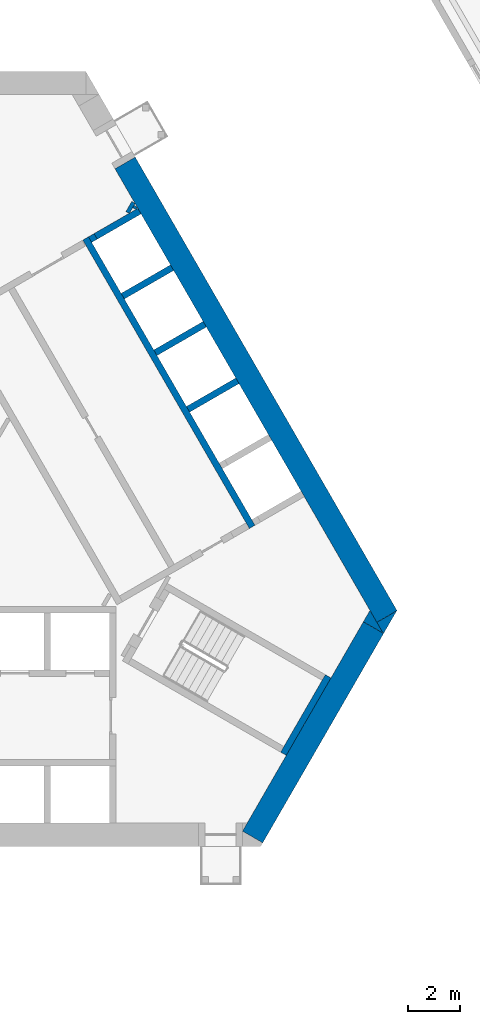
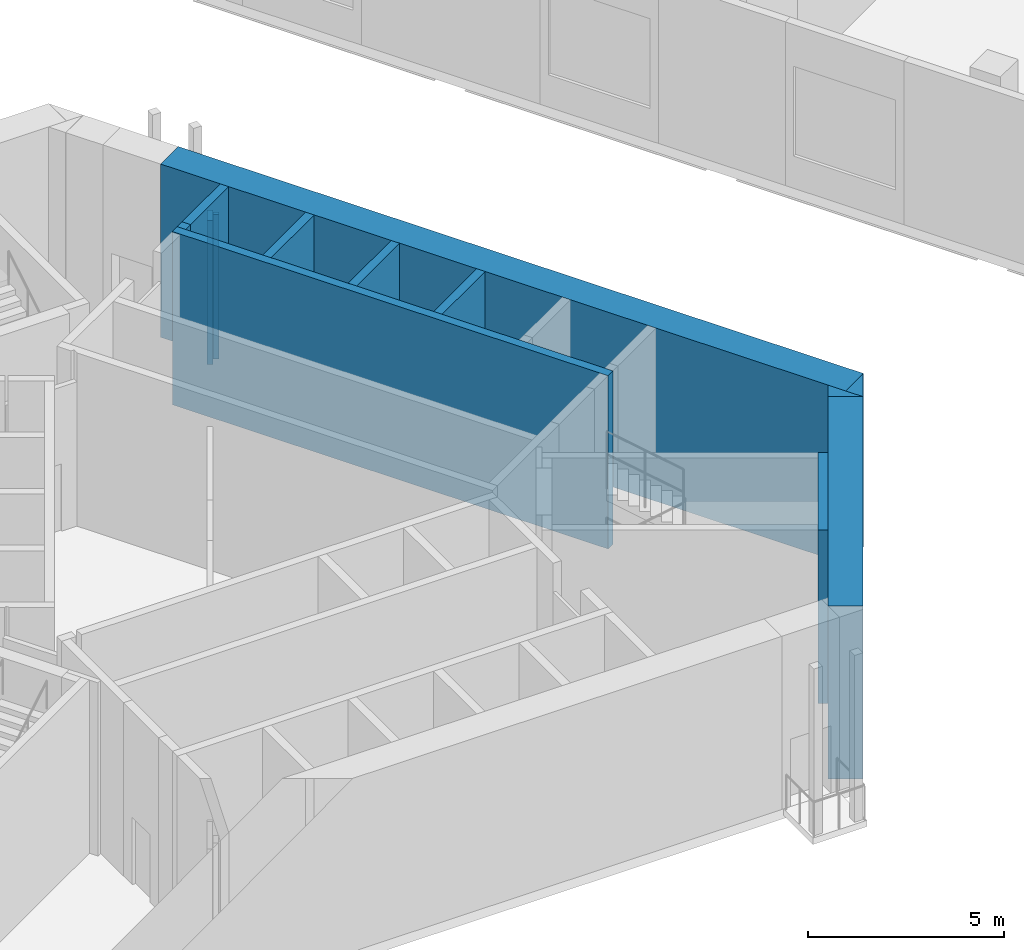
# One storey, part 14 of 35: 13 walls.
"""IFC4 building model written with IfcOpenShell, lengths in metres."""

from ifc_helpers import new_model, si_unit, direction, frame, frame_2d, origin, place, context, subcontext, project, spatial, polyline, rectangle, outline, extrude, material, layer, layer_set, type_object, element, save


model = new_model("IFC4")

# Units and contexts
model_context = context("Model", 3, precision=1e-05, world=origin(), true_north=direction((0.0, 1.0)))
body_context = subcontext(model_context, "Body", "Model", "MODEL_VIEW")
ifc_project = project(units=[si_unit("LENGTHUNIT", "METRE"), si_unit("AREAUNIT", "SQUARE_METRE"), si_unit("VOLUMEUNIT", "CUBIC_METRE"), si_unit("PLANEANGLEUNIT", "RADIAN"), si_unit("MASSUNIT", "GRAM", prefix="KILO")], contexts=[model_context])

# Site, building, storey
site_placement = place(None, origin())
site = spatial("IfcSite", under=ifc_project, at=site_placement, CompositionType="ELEMENT")
building_placement = place(site_placement, origin())
building = spatial("IfcBuilding", under=site, at=building_placement, Name="Mestral Congress Tower", CompositionType="ELEMENT")
storey_placement = place(building_placement, frame((0.0, 0.0, 6.0)))
storey = spatial("IfcBuildingStorey", under=building, at=storey_placement, Name="L01", CompositionType="ELEMENT", Elevation=6.0)

# Walls
ifc_material_1 = material(Name="Fire-rated board partition")
ifc_layer_1 = layer(ifc_material_1, 0.14990234375)
ifc_layer_set_1 = layer_set([ifc_layer_1], Name="Fire-rated board partition")
wall_type_1 = type_object("IfcWallType", Name="Core partition 150", PredefinedType="PARTITIONING", material=ifc_layer_set_1)
wall_1_placement = place(storey_placement, frame((6.87158203125, 11.44970703125, 0.0), z_axis=(0.0, 0.0, 1.0), x_axis=(0.499846793097, 0.866113839764, 0.0)))
element("IfcWall", 1, at=wall_1_placement, inside=storey, type_object=wall_type_1, Name="L01 core wall", PredefinedType="PARTITIONING", context=body_context, shape_type="SweptSolid", body=[
    extrude(rectangle(XDim=0.453369140625, YDim=0.14990234375, at=frame_2d((0.2265625, 0.0))), origin(), (0.0, 0.0, 1.0), 4.5),
])
wall_2_placement = place(storey_placement, frame((7.13134765625, 11.599609375, 0.0), z_axis=(0.0, 0.0, 1.0), x_axis=(0.498600033135, 0.866832167699, 0.0)))
element("IfcWall", 2, at=wall_2_placement, inside=storey, type_object=wall_type_1, Name="L01 core wall", PredefinedType="PARTITIONING", context=body_context, shape_type="SweptSolid", body=[
    extrude(rectangle(XDim=0.106689453125, YDim=0.14990234375, at=frame_2d((0.05322265625, 0.0))), origin(), (0.0, 0.0, 1.0), 4.5),
])
ifc_material_2 = material(Name="Concrete C60/75", Category="concrete")
ifc_layer_2 = layer(ifc_material_2, 0.89990234375)
ifc_layer_set_2 = layer_set([ifc_layer_2], Name="Concrete C60/75")
wall_type_2 = type_object("IfcWallType", Name="Core wall RC 900", PredefinedType="SOLIDWALL", material=ifc_layer_set_2)
wall_3_placement = place(storey_placement, frame((6.77587890625, 13.36376953125, 0.0), z_axis=(0.0, 0.0, 1.0), x_axis=(0.500004177138, -0.8660229921, 0.0)))
element("IfcWall", 3, at=wall_3_placement, inside=storey, type_object=wall_type_2, Name="L01 core wall", PredefinedType="SOLIDWALL", context=body_context, shape_type="SweptSolid", body=[
    extrude(rectangle(XDim=20.203857421875, YDim=0.89990234375, at=frame_2d((10.10205078125, 0.0))), origin(), (0.0, 0.0, 1.0), 5.39990234375),
])
placement = place(storey_placement, origin())
element("IfcWall", 4, at=placement, inside=storey, type_object=wall_type_2, Name="L01 core wall", PredefinedType="SOLIDWALL", context=body_context, shape_type="SweptSolid", body=[
    extrude(outline(polyline([(16.7431640625, -4.800048828125), (16.4892578125, -4.360107421875), (17.251220703125, -3.920166015625), (16.7431640625, -4.800048828125)])), origin(), (0.0, 0.0, 1.0), 5.39990234375),
])
wall_5_placement = place(storey_placement, frame((11.69482421875, -12.643798828125, 0.0), z_axis=(0.0, 0.0, 1.0), x_axis=(0.500010229568, 0.86601949766, 0.0)))
element("IfcWall", 5, at=wall_5_placement, inside=storey, type_object=wall_type_2, Name="L01 core wall", PredefinedType="SOLIDWALL", context=body_context, shape_type="SweptSolid", body=[
    extrude(rectangle(XDim=9.326416015625, YDim=0.89990234375, at=frame_2d((4.6630859375, 0.0))), origin(), (0.0, 0.0, 1.0), 5.39990234375),
])
element("IfcWall", 6, at=placement, inside=storey, type_object=wall_type_2, Name="L01 core wall", PredefinedType="SOLIDWALL", context=body_context, shape_type="SweptSolid", body=[
    extrude(outline(polyline([(16.223388671875, -3.900146484375), (16.731689453125, -4.780029296875), (15.969482421875, -4.340087890625), (16.223388671875, -3.900146484375)])), origin(), (0.0, 0.0, 1.0), 5.39990234375),
])
ifc_layer_3 = layer(ifc_material_2, 0.25)
ifc_layer_set_3 = layer_set([ifc_layer_3], Name="Concrete C60/75")
wall_type_3 = type_object("IfcWallType", Name="Shaft wall RC 250", PredefinedType="SOLIDWALL", material=ifc_layer_set_3)
wall_7_placement = place(storey_placement, frame((11.677978515625, -0.6767578125, 0.0), z_axis=(0.0, 0.0, 1.0), x_axis=(-0.500003135297, 0.866023593612, 0.0)))
element("IfcWall", 7, at=wall_7_placement, inside=storey, type_object=wall_type_3, Name="L01 core wall", PredefinedType="SOLIDWALL", context=body_context, shape_type="SweptSolid", body=[
    extrude(rectangle(XDim=12.85009765625, YDim=0.25, at=frame_2d((6.425048828125, 0.0))), origin(), (0.0, 0.0, 1.0), 5.39990234375),
])
wall_8_placement = place(storey_placement, frame((5.469482421875, 10.57666015625, 0.0), z_axis=(0.0, 0.0, 1.0), x_axis=(0.499919672301, -0.866071776036, 0.0)))
element("IfcWall", 8, at=wall_8_placement, inside=storey, type_object=wall_type_3, Name="L01 core wall", PredefinedType="SOLIDWALL", context=body_context, shape_type="SweptSolid", body=[
    extrude(rectangle(XDim=0.25, YDim=0.25, at=frame_2d((0.125, 0.0))), origin(), (0.0, 0.0, 1.0), 5.39990234375),
])
wall_9_placement = place(storey_placement, frame((5.64013671875, 10.531005859375, 0.0), z_axis=(0.0, 0.0, 1.0), x_axis=(0.866000020948, 0.500043961785, 0.0)))
element("IfcWall", 9, at=wall_9_placement, inside=storey, type_object=wall_type_3, Name="L01 core wall", PredefinedType="SOLIDWALL", context=body_context, shape_type="SweptSolid", body=[
    extrude(rectangle(XDim=1.949951171875, YDim=0.25, at=frame_2d((0.97509765625, 0.0))), origin(), (0.0, 0.0, 1.0), 5.39990234375),
])
for number, where, z_axis, x_axis, name in (
    (10, (8.5888671875, 9.323486328125, 0.0), (0.0, 0.0, 1.0), (-0.866008176907, -0.50002983664, 0.0), "L01 core wall"),
    (11, (7.943603515625, 6.041259765625, 0.0), (0.0, 0.0, 1.0), (0.86605622881, 0.499946605688, 0.0), "L01 core wall"),
    (12, (9.20361328125, 3.85888671875, 0.0), (0.0, 0.0, 1.0), (0.86605622881, 0.499946605688, 0.0), "L01 core wall"),
):
    element("IfcWall", number, at=place(storey_placement, frame(where, z_axis=z_axis, x_axis=x_axis)), inside=storey, type_object=wall_type_3, Name=name, PredefinedType="SOLIDWALL", context=body_context, shape_type="SweptSolid", body=[
        extrude(rectangle(XDim=2.199951171875, YDim=0.25, at=frame_2d((1.10009765625, 0.0))), origin(), (0.0, 0.0, 1.0), 5.39990234375),
    ])
ifc_layer_4 = layer(ifc_material_2, 0.25)
ifc_layer_set_4 = layer_set([ifc_layer_4], Name="Concrete C60/75")
wall_type_4 = type_object("IfcWallType", Name="Stair wall RC 250", PredefinedType="SOLIDWALL", material=ifc_layer_set_4)
wall_10_placement = place(storey_placement, frame((12.885498046875, -9.431396484375, 0.0), z_axis=(0.0, 0.0, 1.0), x_axis=(0.500020560727, 0.866013532718, 0.0)))
element("IfcWall", 13, at=wall_10_placement, inside=storey, type_object=wall_type_4, Name="L01 core wall", PredefinedType="SOLIDWALL", context=body_context, shape_type="SweptSolid", body=[
    extrude(rectangle(XDim=3.449951171875, YDim=0.25, at=frame_2d((1.72509765625, 0.0))), origin(), (0.0, 0.0, 1.0), 5.39990234375),
])

save(model, "model.ifc")
